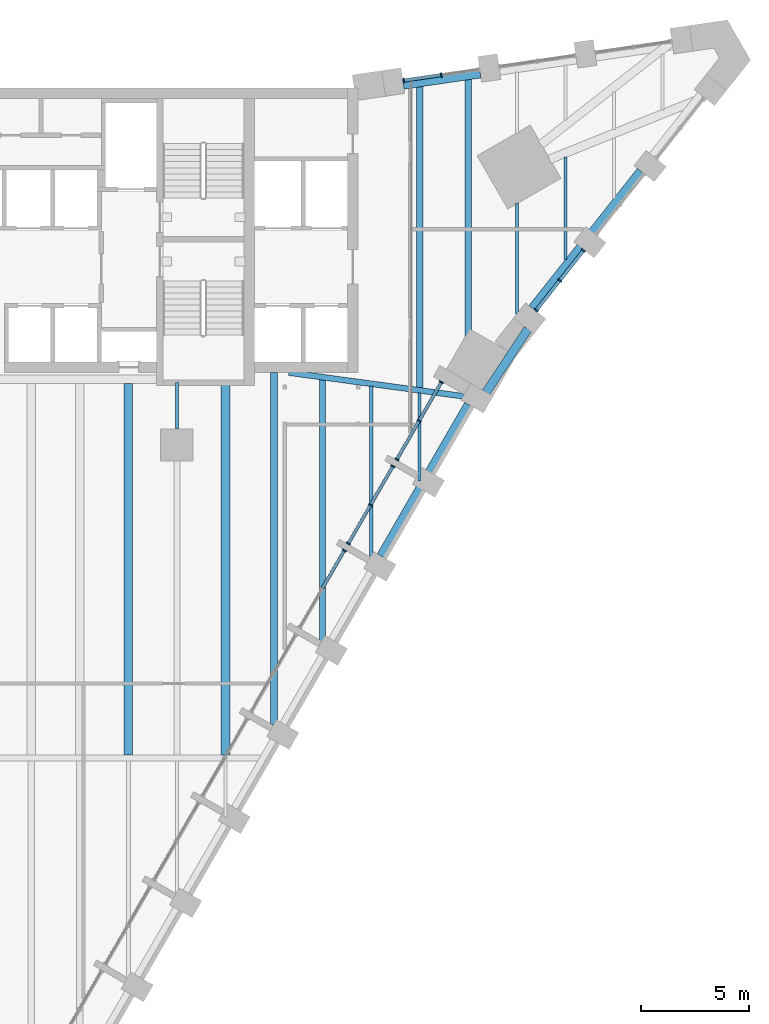
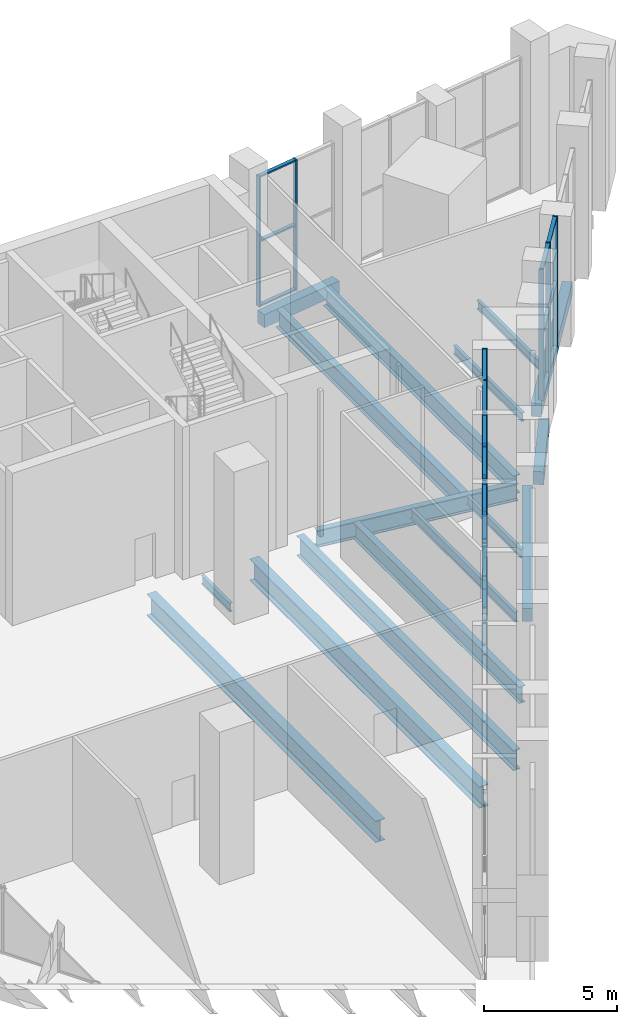
# One storey, part 7 of 17: 36 members, 16 beams, 5 elements without a shape of their own.
"""IFC4 building model written with IfcOpenShell, lengths in metres."""

from ifc_helpers import new_model, si_unit, direction, frame, origin, origin_2d, place, context, subcontext, project, spatial, rectangle, i_section, extrude, material, material_profile, profile_set, type_object, element, aggregate, save


model = new_model("IFC4")

# Units and contexts
model_context = context("Model", 3, precision=1e-05, world=origin(), true_north=direction((0.0, 1.0)))
body_context = subcontext(model_context, "Body", "Model", "MODEL_VIEW")
ifc_project = project(units=[si_unit("LENGTHUNIT", "METRE"), si_unit("AREAUNIT", "SQUARE_METRE"), si_unit("VOLUMEUNIT", "CUBIC_METRE"), si_unit("PLANEANGLEUNIT", "RADIAN"), si_unit("MASSUNIT", "GRAM", prefix="KILO")], contexts=[model_context])

# Site, building, storey
site_placement = place(None, origin())
site = spatial("IfcSite", under=ifc_project, at=site_placement, CompositionType="ELEMENT")
building_placement = place(site_placement, origin())
building = spatial("IfcBuilding", under=site, at=building_placement, Name="Calabash Gate Tower", CompositionType="ELEMENT")
storey_placement = place(building_placement, frame((0.0, 0.0, 132.60009765625)))
storey = spatial("IfcBuildingStorey", under=building, at=storey_placement, Name="L31", CompositionType="ELEMENT", Elevation=132.60009765625)

# Beams
ifc_material_1 = material(Name="Concrete C60/75", Category="concrete")
ifc_material_profile_1 = material_profile(ifc_material_1, rectangle(XDim=0.39990234375, YDim=0.60009765625, at=origin_2d()))
ifc_profile_set_1 = profile_set([ifc_material_profile_1], Name="Concrete C60/75")
beam_type_1 = type_object("IfcBeamType", Name="Edge beam RC 400x600 Concrete C60/75", PredefinedType="BEAM", material=ifc_profile_set_1)
beam_1_placement = place(storey_placement, frame((18.4580078125, -2.634033203125, -0.47021484375), z_axis=(0.499986829629, 0.866033007568, 0.0), x_axis=(-0.866033007568, 0.499986829629, 0.0)))
element("IfcBeam", 1, at=beam_1_placement, inside=storey, type_object=beam_type_1, Name="Edge beam L31 9", PredefinedType="BEAM", context=body_context, shape_type="SweptSolid", body=[
    extrude(rectangle(XDim=0.39990234375, YDim=0.60009765625, at=origin_2d()), origin(), (0.0, 0.0, 1.0), 8.100341796875),
])
beam_2_placement = place(storey_placement, frame((23.31591796875, 4.927978515625, -0.47021484375), z_axis=(0.551168729938, 0.834393810583, 0.0), x_axis=(-0.834393810583, 0.551168729938, 0.0)))
element("IfcBeam", 2, at=beam_2_placement, inside=storey, type_object=beam_type_1, Name="Edge beam L31 10", PredefinedType="BEAM", context=body_context, shape_type="SweptSolid", body=[
    extrude(rectangle(XDim=0.39990234375, YDim=0.60009765625, at=origin_2d()), origin(), (0.0, 0.0, 1.0), 3.53076171875),
])
beam_3_placement = place(storey_placement, frame((25.468994140625, 8.842041015625, -0.47021484375), z_axis=(0.620163994237, 0.784472192147, 0.0), x_axis=(-0.784472192147, 0.620163994237, 0.0)))
element("IfcBeam", 3, at=beam_3_placement, inside=storey, type_object=beam_type_1, Name="Edge beam L31 11", PredefinedType="BEAM", context=body_context, shape_type="SweptSolid", body=[
    extrude(rectangle(XDim=0.39990234375, YDim=0.60009765625, at=origin_2d()), origin(), (0.0, 0.0, 1.0), 8.10107421875),
])
beam_4_placement = place(storey_placement, frame((23.05908203125, 19.7080078125, -0.47021484375), z_axis=(-0.989433082017, -0.144990262464, 0.0), x_axis=(0.144990262464, -0.989433082017, 0.0)))
element("IfcBeam", 4, at=beam_4_placement, inside=storey, type_object=beam_type_1, Name="Edge beam L31 16", PredefinedType="BEAM", context=body_context, shape_type="SweptSolid", body=[
    extrude(rectangle(XDim=0.39990234375, YDim=0.60009765625, at=origin_2d()), origin(), (0.0, 0.0, 1.0), 3.60009765625),
])
ifc_material_2 = material(Name="Steel ASTM A992 Gr50", Category="steel")
ifc_material_profile_2 = material_profile(ifc_material_2, i_section(OverallWidth=0.1396484375, OverallDepth=0.398681640625, WebThickness=0.00634765625, FlangeThickness=0.0087890625, FilletRadius=0.01025390625, at=origin_2d()))
ifc_profile_set_2 = profile_set([ifc_material_profile_2], Name="Steel ASTM A992 Gr50")
beam_type_2 = type_object("IfcBeamType", Name="Floor beam W16x26 ASTM A992 Gr50", PredefinedType="BEAM", material=ifc_profile_set_2)
beam_5_placement = place(storey_placement, frame((9.0, 3.25, -0.369140625), z_axis=(0.0, 1.0, 0.0), x_axis=(-1.0, 0.0, 0.0)))
element("IfcBeam", 5, at=beam_5_placement, inside=storey, type_object=beam_type_2, Name="Floor beam L31 27", PredefinedType="BEAM", context=body_context, shape_type="SweptSolid", body=[
    extrude(i_section(OverallWidth=0.1396484375, OverallDepth=0.398681640625, WebThickness=0.00634765625, FlangeThickness=0.0087890625, FilletRadius=0.01025390625, at=origin_2d()), origin(), (0.0, 0.0, 1.0), 2.153076171875),
])
beam_6_placement = place(storey_placement, frame((20.25, 0.8369140625, -0.369140625), z_axis=(0.0, 1.0, 0.0), x_axis=(-1.0, 0.0, 0.0)))
element("IfcBeam", 6, at=beam_6_placement, inside=storey, type_object=beam_type_2, Name="Floor beam L31 33", PredefinedType="BEAM", context=body_context, shape_type="SweptSolid", body=[
    extrude(i_section(OverallWidth=0.1396484375, OverallDepth=0.398681640625, WebThickness=0.00634765625, FlangeThickness=0.0087890625, FilletRadius=0.01025390625, at=origin_2d()), origin(), (0.0, 0.0, 1.0), 4.08203125),
])
beam_7_placement = place(storey_placement, frame((24.75, 8.56591796875, -0.369140625), z_axis=(0.0, 1.0, 0.0), x_axis=(-1.0, 0.0, 0.0)))
element("IfcBeam", 7, at=beam_7_placement, inside=storey, type_object=beam_type_2, Name="Floor beam L31 36", PredefinedType="BEAM", context=body_context, shape_type="SweptSolid", body=[
    extrude(i_section(OverallWidth=0.1396484375, OverallDepth=0.398681640625, WebThickness=0.00634765625, FlangeThickness=0.0087890625, FilletRadius=0.01025390625, at=origin_2d()), origin(), (0.0, 0.0, 1.0), 5.14306640625),
])
beam_8_placement = place(storey_placement, frame((27.0, 11.089111328125, -0.369140625), z_axis=(0.0, 1.0, 0.0), x_axis=(-1.0, 0.0, 0.0)))
element("IfcBeam", 8, at=beam_8_placement, inside=storey, type_object=beam_type_2, Name="Floor beam L31 38", PredefinedType="BEAM", context=body_context, shape_type="SweptSolid", body=[
    extrude(i_section(OverallWidth=0.1396484375, OverallDepth=0.398681640625, WebThickness=0.00634765625, FlangeThickness=0.0087890625, FilletRadius=0.01025390625, at=origin_2d()), origin(), (0.0, 0.0, 1.0), 4.7587890625),
])
ifc_material_3 = material(Name="Steel ASTM A992 Gr50", Category="steel")
ifc_material_profile_3 = material_profile(ifc_material_3, i_section(OverallWidth=0.15234375, OverallDepth=0.44970703125, WebThickness=0.007568359375, FlangeThickness=0.0107421875, FilletRadius=0.01025390625, at=origin_2d()))
ifc_profile_set_3 = profile_set([ifc_material_profile_3], Name="Steel ASTM A992 Gr50")
beam_type_3 = type_object("IfcBeamType", Name="Floor beam W18x35 ASTM A992 Gr50", PredefinedType="BEAM", material=ifc_profile_set_3)
beam_9_placement = place(storey_placement, frame((18.0, -2.639892578125, -0.39306640625), z_axis=(0.0, 1.0, 0.0), x_axis=(-1.0, 0.0, 0.0)))
element("IfcBeam", 9, at=beam_9_placement, inside=storey, type_object=beam_type_3, Name="Floor beam L31 32", PredefinedType="BEAM", context=body_context, shape_type="SweptSolid", body=[
    extrude(i_section(OverallWidth=0.15234375, OverallDepth=0.44970703125, WebThickness=0.007568359375, FlangeThickness=0.0107421875, FilletRadius=0.01025390625, at=origin_2d()), origin(), (0.0, 0.0, 1.0), 7.866943359375),
])
ifc_material_4 = material(Name="Steel ASTM A992 Gr50", Category="steel")
ifc_material_profile_4 = material_profile(ifc_material_4, i_section(OverallWidth=0.2666015625, OverallDepth=0.7568359375, WebThickness=0.013916015625, FlangeThickness=0.019287109375, FilletRadius=0.0166015625, at=origin_2d()))
ifc_profile_set_4 = profile_set([ifc_material_profile_4], Name="Steel ASTM A992 Gr50")
beam_type_4 = type_object("IfcBeamType", Name="Floor beam W30x108 ASTM A992 Gr50", PredefinedType="BEAM", material=ifc_profile_set_4)
beam_10_placement = place(storey_placement, frame((15.75, -6.95703125, -0.548095703125), z_axis=(0.0, 1.0, 0.0), x_axis=(-1.0, 0.0, 0.0)))
element("IfcBeam", 10, at=beam_10_placement, inside=storey, type_object=beam_type_4, Name="Floor beam L31 31", PredefinedType="BEAM", context=body_context, shape_type="SweptSolid", body=[
    extrude(i_section(OverallWidth=0.2666015625, OverallDepth=0.7568359375, WebThickness=0.013916015625, FlangeThickness=0.019287109375, FilletRadius=0.0166015625, at=origin_2d()), origin(), (0.0, 0.0, 1.0), 12.487060546875),
])
ifc_material_5 = material(Name="Steel ASTM A992 Gr50", Category="steel")
ifc_material_profile_5 = material_profile(ifc_material_5, i_section(OverallWidth=0.2919921875, OverallDepth=0.845703125, WebThickness=0.015380859375, FlangeThickness=0.0244140625, FilletRadius=0.017822265625, at=origin_2d()))
ifc_profile_set_5 = profile_set([ifc_material_profile_5], Name="Steel ASTM A992 Gr50")
beam_type_5 = type_object("IfcBeamType", Name="Floor beam W33x141 ASTM A992 Gr50", PredefinedType="BEAM", material=ifc_profile_set_5)
beam_11_placement = place(storey_placement, frame((20.25, 5.14404296875, -0.593017578125), z_axis=(0.0, 1.0, 0.0), x_axis=(-1.0, 0.0, 0.0)))
element("IfcBeam", 11, at=beam_11_placement, inside=storey, type_object=beam_type_5, Name="Floor beam L31 34", PredefinedType="BEAM", context=body_context, shape_type="SweptSolid", body=[
    extrude(i_section(OverallWidth=0.2919921875, OverallDepth=0.845703125, WebThickness=0.015380859375, FlangeThickness=0.0244140625, FilletRadius=0.017822265625, at=origin_2d()), origin(), (0.0, 0.0, 1.0), 13.98193359375),
])
beam_12_placement = place(storey_placement, frame((22.5, 5.134033203125, -0.593017578125), z_axis=(0.0, 1.0, 0.0), x_axis=(-1.0, 0.0, 0.0)))
element("IfcBeam", 12, at=beam_12_placement, inside=storey, type_object=beam_type_5, Name="Floor beam L31 35", PredefinedType="BEAM", context=body_context, shape_type="SweptSolid", body=[
    extrude(i_section(OverallWidth=0.2919921875, OverallDepth=0.845703125, WebThickness=0.015380859375, FlangeThickness=0.0244140625, FilletRadius=0.017822265625, at=origin_2d()), origin(), (0.0, 0.0, 1.0), 14.322021484375),
])
ifc_material_6 = material(Name="Steel ASTM A992 Gr50", Category="steel")
ifc_material_profile_6 = material_profile(ifc_material_6, i_section(OverallWidth=0.307373046875, OverallDepth=0.922119140625, WebThickness=0.018310546875, FlangeThickness=0.030029296875, FilletRadius=0.01904296875, at=origin_2d()))
ifc_profile_set_6 = profile_set([ifc_material_profile_6], Name="Steel ASTM A992 Gr50")
beam_type_6 = type_object("IfcBeamType", Name="Floor beam W36x182 ASTM A992 Gr50", PredefinedType="BEAM", material=ifc_profile_set_6)
beam_13_placement = place(storey_placement, frame((13.5, -10.4541015625, -0.631103515625), z_axis=(0.0, 1.0, 0.0), x_axis=(-1.0, 0.0, 0.0)))
element("IfcBeam", 13, at=beam_13_placement, inside=storey, type_object=beam_type_6, Name="Floor beam L31 30", PredefinedType="BEAM", context=body_context, shape_type="SweptSolid", body=[
    extrude(i_section(OverallWidth=0.307373046875, OverallDepth=0.922119140625, WebThickness=0.018310546875, FlangeThickness=0.030029296875, FilletRadius=0.01904296875, at=origin_2d()), origin(), (0.0, 0.0, 1.0), 16.30712890625),
])
ifc_material_7 = material(Name="Steel ASTM A992 Gr50", Category="steel")
ifc_material_profile_7 = material_profile(ifc_material_7, i_section(OverallWidth=0.4013671875, OverallDepth=0.990478515625, WebThickness=0.0166015625, FlangeThickness=0.031005859375, FilletRadius=0.030029296875, at=origin_2d()))
ifc_profile_set_7 = profile_set([ifc_material_profile_7], Name="Steel ASTM A992 Gr50")
beam_type_7 = type_object("IfcBeamType", Name="Floor beam W40x215 ASTM A992 Gr50", PredefinedType="BEAM", material=ifc_profile_set_7)
beam_14_placement = place(storey_placement, frame((6.75, -11.866943359375, -0.6630859375), z_axis=(0.0, 1.0, 0.0), x_axis=(-1.0, 0.0, 0.0)))
element("IfcBeam", 14, at=beam_14_placement, inside=storey, type_object=beam_type_7, Name="Floor beam L31 24", PredefinedType="BEAM", context=body_context, shape_type="SweptSolid", body=[
    extrude(i_section(OverallWidth=0.4013671875, OverallDepth=0.990478515625, WebThickness=0.0166015625, FlangeThickness=0.031005859375, FilletRadius=0.030029296875, at=origin_2d()), origin(), (0.0, 0.0, 1.0), 17.218994140625),
])
beam_15_placement = place(storey_placement, frame((11.25, -11.866943359375, -0.6630859375), z_axis=(0.0, 1.0, 0.0), x_axis=(-1.0, 0.0, 0.0)))
element("IfcBeam", 15, at=beam_15_placement, inside=storey, type_object=beam_type_7, Name="Floor beam L31 29", PredefinedType="BEAM", context=body_context, shape_type="SweptSolid", body=[
    extrude(i_section(OverallWidth=0.4013671875, OverallDepth=0.990478515625, WebThickness=0.0166015625, FlangeThickness=0.031005859375, FilletRadius=0.030029296875, at=origin_2d()), origin(), (0.0, 0.0, 1.0), 17.27001953125),
])
ifc_material_8 = material(Name="Steel ASTM A992 Gr50", Category="steel")
ifc_material_profile_8 = material_profile(ifc_material_8, i_section(OverallWidth=0.2666015625, OverallDepth=0.77978515625, WebThickness=0.0166015625, FlangeThickness=0.030029296875, FilletRadius=0.0166015625, at=origin_2d()))
ifc_profile_set_8 = profile_set([ifc_material_profile_8], Name="Steel ASTM A992 Gr50")
beam_type_8 = type_object("IfcBeamType", Name="Girder W30x148 ASTM A992 Gr50", PredefinedType="BEAM", material=ifc_profile_set_8)
beam_16_placement = place(storey_placement, frame((22.285888671875, 4.757080078125, -0.56005859375), z_axis=(-0.990922447066, 0.134434757038, 0.0), x_axis=(-0.134434757038, -0.990922447066, 0.0)))
element("IfcBeam", 16, at=beam_16_placement, inside=storey, type_object=beam_type_8, Name="Girder L31 3", PredefinedType="BEAM", context=body_context, shape_type="SweptSolid", body=[
    extrude(i_section(OverallWidth=0.2666015625, OverallDepth=0.77978515625, WebThickness=0.0166015625, FlangeThickness=0.030029296875, FilletRadius=0.0166015625, at=origin_2d()), origin(), (0.0, 0.0, 1.0), 8.174072265625),
])

# Curtain wall, member
ifc_material_9 = material(Name="Anodised aluminium frame, bronze finish, clear laminated low-emissivity glazing", Category="aluminium")
curtain_wall_type_1 = type_object("IfcCurtainWallType", Name="Curtain wall CWS sky lobby wall", PredefinedType="NOTDEFINED", material=ifc_material_9)
curtain_wall_1_placement = place(storey_placement, origin())
curtain_wall_1 = element("IfcCurtainWall", 17, at=curtain_wall_1_placement, inside=storey, type_object=curtain_wall_type_1, Name="Curtain wall CWS L31 SE2.6", PredefinedType="NOTDEFINED")
ifc_material_10 = material(Name="Anodised aluminium frame, bronze finish", Category="aluminium")
ifc_material_profile_9 = material_profile(ifc_material_10, rectangle(XDim=0.199951171875, YDim=0.06494140625, at=origin_2d()))
ifc_profile_set_9 = profile_set([ifc_material_profile_9], Name="Anodised aluminium frame, bronze finish")
member_type_1 = type_object("IfcMemberType", Name="Mullion CWS 65x200", PredefinedType="MULLION", material=ifc_profile_set_9)
member_1_placement = place(storey_placement, frame((16.756591796875, -2.3818359375, 0.0), z_axis=(0.0, 0.0, 1.0), x_axis=(-0.866025421884, 0.499999968652, 0.0)))
member_1 = element("IfcMember", 18, at=member_1_placement, type_object=member_type_1, Name="CWS mullion 3", PredefinedType="MULLION", context=body_context, shape_type="SweptSolid", body=[
    extrude(rectangle(XDim=0.199951171875, YDim=0.06494140625, at=origin_2d()), origin(), (0.0, 0.0, 1.0), 6.0),
])

# Curtain wall, members
curtain_wall_2_placement = place(storey_placement, origin())
curtain_wall_2 = element("IfcCurtainWall", 19, at=curtain_wall_2_placement, inside=storey, type_object=curtain_wall_type_1, Name="Curtain wall CWS L31 SE2.7", PredefinedType="NOTDEFINED")
member_2_placement = place(storey_placement, frame((16.93896484375, -2.065673828125, 0.0), z_axis=(0.0, 0.0, 1.0), x_axis=(-0.866025421884, 0.499999968652, 0.0)))
member_2 = element("IfcMember", 20, at=member_2_placement, type_object=member_type_1, Name="CWS mullion 1", PredefinedType="MULLION", context=body_context, shape_type="SweptSolid", body=[
    extrude(rectangle(XDim=0.199951171875, YDim=0.06494140625, at=origin_2d()), origin(), (0.0, 0.0, 1.0), 6.0),
])
member_3_placement = place(storey_placement, frame((17.97265625, -0.275146484375, 0.0), z_axis=(0.0, 0.0, 1.0), x_axis=(-0.866025421884, 0.499999968652, 0.0)))
member_3 = element("IfcMember", 21, at=member_3_placement, type_object=member_type_1, Name="CWS mullion 2", PredefinedType="MULLION", context=body_context, shape_type="SweptSolid", body=[
    extrude(rectangle(XDim=0.199951171875, YDim=0.06494140625, at=origin_2d()), origin(), (0.0, 0.0, 1.0), 6.0),
])
member_4_placement = place(storey_placement, frame((19.006591796875, 1.515380859375, 0.0), z_axis=(0.0, 0.0, 1.0), x_axis=(-0.866025421884, 0.499999968652, 0.0)))
member_4 = element("IfcMember", 22, at=member_4_placement, type_object=member_type_1, Name="CWS mullion 3", PredefinedType="MULLION", context=body_context, shape_type="SweptSolid", body=[
    extrude(rectangle(XDim=0.199951171875, YDim=0.06494140625, at=origin_2d()), origin(), (0.0, 0.0, 1.0), 6.0),
])

curtain_wall_3_placement = place(storey_placement, origin())
curtain_wall_3 = element("IfcCurtainWall", 23, at=curtain_wall_3_placement, inside=storey, type_object=curtain_wall_type_1, Name="Curtain wall CWS L31 SE2.8", PredefinedType="NOTDEFINED")
member_5_placement = place(storey_placement, frame((19.18896484375, 1.83154296875, 0.0), z_axis=(0.0, 0.0, 1.0), x_axis=(-0.866025318787, 0.50000014722, 0.0)))
member_5 = element("IfcMember", 24, at=member_5_placement, type_object=member_type_1, Name="CWS mullion 1", PredefinedType="MULLION", context=body_context, shape_type="SweptSolid", body=[
    extrude(rectangle(XDim=0.199951171875, YDim=0.06494140625, at=origin_2d()), origin(), (0.0, 0.0, 1.0), 5.919921875),
])
member_6_placement = place(storey_placement, frame((20.22265625, 3.621826171875, 0.0), z_axis=(0.0, 0.0, 1.0), x_axis=(-0.866025318787, 0.50000014722, 0.0)))
member_6 = element("IfcMember", 25, at=member_6_placement, type_object=member_type_1, Name="CWS mullion 2", PredefinedType="MULLION", context=body_context, shape_type="SweptSolid", body=[
    extrude(rectangle(XDim=0.199951171875, YDim=0.06494140625, at=origin_2d()), origin(), (0.0, 0.0, 1.0), 5.919921875),
])
member_7_placement = place(storey_placement, frame((21.256591796875, 5.412353515625, 0.0), z_axis=(0.0, 0.0, 1.0), x_axis=(-0.866025318787, 0.50000014722, 0.0)))
member_7 = element("IfcMember", 26, at=member_7_placement, type_object=member_type_1, Name="CWS mullion 3", PredefinedType="MULLION", context=body_context, shape_type="SweptSolid", body=[
    extrude(rectangle(XDim=0.199951171875, YDim=0.06494140625, at=origin_2d()), origin(), (0.0, 0.0, 1.0), 5.919921875),
])

ifc_material_11 = material(Name="Anodised aluminium frame, bronze finish, clear laminated impact-rated glazing", Category="aluminium")
curtain_wall_type_2 = type_object("IfcCurtainWallType", Name="Curtain wall CWW wedge prow wall", PredefinedType="NOTDEFINED", material=ifc_material_11)
curtain_wall_4_placement = place(storey_placement, origin())
curtain_wall_4 = element("IfcCurtainWall", 27, at=curtain_wall_4_placement, inside=storey, type_object=curtain_wall_type_2, Name="Curtain wall CWW L31 wedge3.1", PredefinedType="NOTDEFINED")
ifc_material_12 = material(Name="Anodised aluminium frame, bronze finish", Category="aluminium")
ifc_material_profile_10 = material_profile(ifc_material_12, rectangle(XDim=0.199951171875, YDim=0.070068359375, at=origin_2d()))
ifc_profile_set_10 = profile_set([ifc_material_profile_10], Name="Anodised aluminium frame, bronze finish")
member_type_2 = type_object("IfcMemberType", Name="Mullion CWW 70x200", PredefinedType="MULLION", material=ifc_profile_set_10)
member_8_placement = place(storey_placement, frame((25.647216796875, 8.745361328125, 0.0), z_axis=(0.0, 0.0, 1.0), x_axis=(-0.7843635768, 0.62030136175, 0.0)))
member_8 = element("IfcMember", 28, at=member_8_placement, type_object=member_type_2, Name="CWW mullion 1", PredefinedType="MULLION", context=body_context, shape_type="SweptSolid", body=[
    extrude(rectangle(XDim=0.199951171875, YDim=0.070068359375, at=origin_2d()), origin(), (0.0, 0.0, 1.0), 6.0),
])
member_9_placement = place(storey_placement, frame((26.741943359375, 10.1298828125, 0.0), z_axis=(0.0, 0.0, 1.0), x_axis=(-0.7843635768, 0.62030136175, 0.0)))
member_9 = element("IfcMember", 29, at=member_9_placement, type_object=member_type_2, Name="CWW mullion 2", PredefinedType="MULLION", context=body_context, shape_type="SweptSolid", body=[
    extrude(rectangle(XDim=0.199951171875, YDim=0.070068359375, at=origin_2d()), origin(), (0.0, 0.0, 1.0), 6.0),
])
member_10_placement = place(storey_placement, frame((27.8369140625, 11.51416015625, 0.0), z_axis=(0.0, 0.0, 1.0), x_axis=(-0.7843635768, 0.62030136175, 0.0)))
member_10 = element("IfcMember", 30, at=member_10_placement, type_object=member_type_2, Name="CWW mullion 3", PredefinedType="MULLION", context=body_context, shape_type="SweptSolid", body=[
    extrude(rectangle(XDim=0.199951171875, YDim=0.070068359375, at=origin_2d()), origin(), (0.0, 0.0, 1.0), 6.0),
])

curtain_wall_5_placement = place(storey_placement, origin())
curtain_wall_5 = element("IfcCurtainWall", 31, at=curtain_wall_5_placement, inside=storey, type_object=curtain_wall_type_2, Name="Curtain wall CWW L31 wedge5.3", PredefinedType="NOTDEFINED")
member_11_placement = place(storey_placement, frame((21.248779296875, 19.64453125, 0.0), z_axis=(0.0, 0.0, 1.0), x_axis=(0.145014729823, -0.989429496293, 0.0)))
member_11 = element("IfcMember", 32, at=member_11_placement, type_object=member_type_2, Name="CWW mullion 2", PredefinedType="MULLION", context=body_context, shape_type="SweptSolid", body=[
    extrude(rectangle(XDim=0.199951171875, YDim=0.070068359375, at=origin_2d()), origin(), (0.0, 0.0, 1.0), 6.0),
])
member_12_placement = place(storey_placement, frame((19.50244140625, 19.388427734375, 0.0), z_axis=(0.0, 0.0, 1.0), x_axis=(0.145014729823, -0.989429496293, 0.0)))
member_12 = element("IfcMember", 33, at=member_12_placement, type_object=member_type_2, Name="CWW mullion 3", PredefinedType="MULLION", context=body_context, shape_type="SweptSolid", body=[
    extrude(rectangle(XDim=0.199951171875, YDim=0.070068359375, at=origin_2d()), origin(), (0.0, 0.0, 1.0), 6.0),
])

# Member
ifc_material_13 = material(Name="Anodised aluminium frame, bronze finish", Category="aluminium")
ifc_material_profile_11 = material_profile(ifc_material_13, rectangle(XDim=0.14990234375, YDim=0.06494140625, at=origin_2d()))
ifc_profile_set_11 = profile_set([ifc_material_profile_11], Name="Anodised aluminium frame, bronze finish")
member_type_3 = type_object("IfcMemberType", Name="Transom CWS 65x150", PredefinedType="USERDEFINED", material=ifc_profile_set_11)
member_13_placement = place(storey_placement, frame((15.739013671875, -4.14404296875, 0.032470703125), z_axis=(0.500007410291, 0.866021125408, 0.0), x_axis=(-0.866021125408, 0.500007410291, 0.0)))
member_13 = element("IfcMember", 34, at=member_13_placement, type_object=member_type_3, Name="CWS transom 2.1", ObjectType="TRANSOM", PredefinedType="USERDEFINED", context=body_context, shape_type="SweptSolid", body=[
    extrude(rectangle(XDim=0.14990234375, YDim=0.06494140625, at=origin_2d()), origin(), (0.0, 0.0, 1.0), 2.00244140625),
])

member_14_placement = place(storey_placement, frame((15.739013671875, -4.14404296875, 3.0), z_axis=(0.500007410291, 0.866021125408, 0.0), x_axis=(-0.866021125408, 0.500007410291, 0.0)))
member_14 = element("IfcMember", 35, at=member_14_placement, type_object=member_type_3, Name="CWS transom 2.2", ObjectType="TRANSOM", PredefinedType="USERDEFINED", context=body_context, shape_type="SweptSolid", body=[
    extrude(rectangle(XDim=0.14990234375, YDim=0.06494140625, at=origin_2d()), origin(), (0.0, 0.0, 1.0), 2.00244140625),
])

member_15_placement = place(storey_placement, frame((15.739013671875, -4.14404296875, 5.96728515625), z_axis=(0.500007410291, 0.866021125408, 0.0), x_axis=(-0.866021125408, 0.500007410291, 0.0)))
member_15 = element("IfcMember", 36, at=member_15_placement, type_object=member_type_3, Name="CWS transom 2.3", ObjectType="TRANSOM", PredefinedType="USERDEFINED", context=body_context, shape_type="SweptSolid", body=[
    extrude(rectangle(XDim=0.14990234375, YDim=0.06494140625, at=origin_2d()), origin(), (0.0, 0.0, 1.0), 2.00244140625),
])

aggregate(curtain_wall_1, [member_1, member_13, member_14, member_15])

member_16_placement = place(storey_placement, frame((16.955322265625, -2.03759765625, 0.032470703125), z_axis=(0.499954620082, 0.866051602307, 0.0), x_axis=(-0.866051602307, 0.499954620082, 0.0)))
member_16 = element("IfcMember", 37, at=member_16_placement, type_object=member_type_3, Name="CWS transom 1.1", ObjectType="TRANSOM", PredefinedType="USERDEFINED", context=body_context, shape_type="SweptSolid", body=[
    extrude(rectangle(XDim=0.14990234375, YDim=0.06494140625, at=origin_2d()), origin(), (0.0, 0.0, 1.0), 2.002685546875),
])

member_17_placement = place(storey_placement, frame((16.955322265625, -2.03759765625, 3.0), z_axis=(0.499954620082, 0.866051602307, 0.0), x_axis=(-0.866051602307, 0.499954620082, 0.0)))
member_17 = element("IfcMember", 38, at=member_17_placement, type_object=member_type_3, Name="CWS transom 1.2", ObjectType="TRANSOM", PredefinedType="USERDEFINED", context=body_context, shape_type="SweptSolid", body=[
    extrude(rectangle(XDim=0.14990234375, YDim=0.06494140625, at=origin_2d()), origin(), (0.0, 0.0, 1.0), 2.002685546875),
])

member_18_placement = place(storey_placement, frame((16.955322265625, -2.03759765625, 5.96728515625), z_axis=(0.499954620082, 0.866051602307, 0.0), x_axis=(-0.866051602307, 0.499954620082, 0.0)))
member_18 = element("IfcMember", 39, at=member_18_placement, type_object=member_type_3, Name="CWS transom 1.3", ObjectType="TRANSOM", PredefinedType="USERDEFINED", context=body_context, shape_type="SweptSolid", body=[
    extrude(rectangle(XDim=0.14990234375, YDim=0.06494140625, at=origin_2d()), origin(), (0.0, 0.0, 1.0), 2.002685546875),
])

member_19_placement = place(storey_placement, frame((17.989013671875, -0.2470703125, 0.032470703125), z_axis=(0.499954620082, 0.866051602307, 0.0), x_axis=(-0.866051602307, 0.499954620082, 0.0)))
member_19 = element("IfcMember", 40, at=member_19_placement, type_object=member_type_3, Name="CWS transom 2.1", ObjectType="TRANSOM", PredefinedType="USERDEFINED", context=body_context, shape_type="SweptSolid", body=[
    extrude(rectangle(XDim=0.14990234375, YDim=0.06494140625, at=origin_2d()), origin(), (0.0, 0.0, 1.0), 2.002685546875),
])

member_20_placement = place(storey_placement, frame((17.989013671875, -0.2470703125, 3.0), z_axis=(0.499954620082, 0.866051602307, 0.0), x_axis=(-0.866051602307, 0.499954620082, 0.0)))
member_20 = element("IfcMember", 41, at=member_20_placement, type_object=member_type_3, Name="CWS transom 2.2", ObjectType="TRANSOM", PredefinedType="USERDEFINED", context=body_context, shape_type="SweptSolid", body=[
    extrude(rectangle(XDim=0.14990234375, YDim=0.06494140625, at=origin_2d()), origin(), (0.0, 0.0, 1.0), 2.002685546875),
])

member_21_placement = place(storey_placement, frame((17.989013671875, -0.2470703125, 5.96728515625), z_axis=(0.499954620082, 0.866051602307, 0.0), x_axis=(-0.866051602307, 0.499954620082, 0.0)))
member_21 = element("IfcMember", 42, at=member_21_placement, type_object=member_type_3, Name="CWS transom 2.3", ObjectType="TRANSOM", PredefinedType="USERDEFINED", context=body_context, shape_type="SweptSolid", body=[
    extrude(rectangle(XDim=0.14990234375, YDim=0.06494140625, at=origin_2d()), origin(), (0.0, 0.0, 1.0), 2.002685546875),
])

aggregate(curtain_wall_2, [member_2, member_3, member_4, member_16, member_17, member_18, member_19, member_20, member_21])

member_22_placement = place(storey_placement, frame((19.205322265625, 1.859619140625, 0.032470703125), z_axis=(0.500007410291, 0.866021125408, 0.0), x_axis=(-0.866021125408, 0.500007410291, 0.0)))
member_22 = element("IfcMember", 43, at=member_22_placement, type_object=member_type_3, Name="CWS transom 1.1", ObjectType="TRANSOM", PredefinedType="USERDEFINED", context=body_context, shape_type="SweptSolid", body=[
    extrude(rectangle(XDim=0.14990234375, YDim=0.06494140625, at=origin_2d()), origin(), (0.0, 0.0, 1.0), 2.00244140625),
])

member_23_placement = place(storey_placement, frame((19.205322265625, 1.859619140625, 2.9599609375), z_axis=(0.500007410291, 0.866021125408, 0.0), x_axis=(-0.866021125408, 0.500007410291, 0.0)))
member_23 = element("IfcMember", 44, at=member_23_placement, type_object=member_type_3, Name="CWS transom 1.2", ObjectType="TRANSOM", PredefinedType="USERDEFINED", context=body_context, shape_type="SweptSolid", body=[
    extrude(rectangle(XDim=0.14990234375, YDim=0.06494140625, at=origin_2d()), origin(), (0.0, 0.0, 1.0), 2.00244140625),
])

member_24_placement = place(storey_placement, frame((19.205322265625, 1.859619140625, 5.887451171875), z_axis=(0.500007410291, 0.866021125408, 0.0), x_axis=(-0.866021125408, 0.500007410291, 0.0)))
member_24 = element("IfcMember", 45, at=member_24_placement, type_object=member_type_3, Name="CWS transom 1.3", ObjectType="TRANSOM", PredefinedType="USERDEFINED", context=body_context, shape_type="SweptSolid", body=[
    extrude(rectangle(XDim=0.14990234375, YDim=0.06494140625, at=origin_2d()), origin(), (0.0, 0.0, 1.0), 2.00244140625),
])

member_25_placement = place(storey_placement, frame((20.239013671875, 3.650146484375, 0.032470703125), z_axis=(0.500007410291, 0.866021125408, 0.0), x_axis=(-0.866021125408, 0.500007410291, 0.0)))
member_25 = element("IfcMember", 46, at=member_25_placement, type_object=member_type_3, Name="CWS transom 2.1", ObjectType="TRANSOM", PredefinedType="USERDEFINED", context=body_context, shape_type="SweptSolid", body=[
    extrude(rectangle(XDim=0.14990234375, YDim=0.06494140625, at=origin_2d()), origin(), (0.0, 0.0, 1.0), 2.00244140625),
])

member_26_placement = place(storey_placement, frame((20.239013671875, 3.650146484375, 2.9599609375), z_axis=(0.500007410291, 0.866021125408, 0.0), x_axis=(-0.866021125408, 0.500007410291, 0.0)))
member_26 = element("IfcMember", 47, at=member_26_placement, type_object=member_type_3, Name="CWS transom 2.2", ObjectType="TRANSOM", PredefinedType="USERDEFINED", context=body_context, shape_type="SweptSolid", body=[
    extrude(rectangle(XDim=0.14990234375, YDim=0.06494140625, at=origin_2d()), origin(), (0.0, 0.0, 1.0), 2.00244140625),
])

member_27_placement = place(storey_placement, frame((20.239013671875, 3.650146484375, 5.887451171875), z_axis=(0.500007410291, 0.866021125408, 0.0), x_axis=(-0.866021125408, 0.500007410291, 0.0)))
member_27 = element("IfcMember", 48, at=member_27_placement, type_object=member_type_3, Name="CWS transom 2.3", ObjectType="TRANSOM", PredefinedType="USERDEFINED", context=body_context, shape_type="SweptSolid", body=[
    extrude(rectangle(XDim=0.14990234375, YDim=0.06494140625, at=origin_2d()), origin(), (0.0, 0.0, 1.0), 2.00244140625),
])

aggregate(curtain_wall_3, [member_5, member_6, member_7, member_22, member_23, member_24, member_25, member_26, member_27])

ifc_material_14 = material(Name="Anodised aluminium frame, bronze finish", Category="aluminium")
ifc_material_profile_12 = material_profile(ifc_material_14, rectangle(XDim=0.159912109375, YDim=0.070068359375, at=origin_2d()))
ifc_profile_set_12 = profile_set([ifc_material_profile_12], Name="Anodised aluminium frame, bronze finish")
member_type_4 = type_object("IfcMemberType", Name="Transom CWW 70x160", PredefinedType="USERDEFINED", material=ifc_profile_set_12)
member_28_placement = place(storey_placement, frame((25.6689453125, 8.77294921875, 0.034912109375), z_axis=(0.62029329953, 0.78436995261, 0.0), x_axis=(-0.78436995261, 0.62029329953, 0.0)))
member_28 = element("IfcMember", 49, at=member_28_placement, type_object=member_type_4, Name="CWW transom 1.1", ObjectType="TRANSOM", PredefinedType="USERDEFINED", context=body_context, shape_type="SweptSolid", body=[
    extrude(rectangle(XDim=0.159912109375, YDim=0.070068359375, at=origin_2d()), origin(), (0.0, 0.0, 1.0), 1.69482421875),
])

member_29_placement = place(storey_placement, frame((25.6689453125, 8.77294921875, 3.0), z_axis=(0.62029329953, 0.78436995261, 0.0), x_axis=(-0.78436995261, 0.62029329953, 0.0)))
member_29 = element("IfcMember", 50, at=member_29_placement, type_object=member_type_4, Name="CWW transom 1.2", ObjectType="TRANSOM", PredefinedType="USERDEFINED", context=body_context, shape_type="SweptSolid", body=[
    extrude(rectangle(XDim=0.159912109375, YDim=0.070068359375, at=origin_2d()), origin(), (0.0, 0.0, 1.0), 1.69482421875),
])

member_30_placement = place(storey_placement, frame((25.6689453125, 8.77294921875, 5.96484375), z_axis=(0.62029329953, 0.78436995261, 0.0), x_axis=(-0.78436995261, 0.62029329953, 0.0)))
member_30 = element("IfcMember", 51, at=member_30_placement, type_object=member_type_4, Name="CWW transom 1.3", ObjectType="TRANSOM", PredefinedType="USERDEFINED", context=body_context, shape_type="SweptSolid", body=[
    extrude(rectangle(XDim=0.159912109375, YDim=0.070068359375, at=origin_2d()), origin(), (0.0, 0.0, 1.0), 1.69482421875),
])

member_31_placement = place(storey_placement, frame((26.763671875, 10.1572265625, 0.034912109375), z_axis=(0.620311834798, 0.784355294244, 0.0), x_axis=(-0.784355294244, 0.620311834798, 0.0)))
member_31 = element("IfcMember", 52, at=member_31_placement, type_object=member_type_4, Name="CWW transom 2.1", ObjectType="TRANSOM", PredefinedType="USERDEFINED", context=body_context, shape_type="SweptSolid", body=[
    extrude(rectangle(XDim=0.159912109375, YDim=0.070068359375, at=origin_2d()), origin(), (0.0, 0.0, 1.0), 1.695068359375),
])

member_32_placement = place(storey_placement, frame((26.763671875, 10.1572265625, 3.0), z_axis=(0.620311834798, 0.784355294244, 0.0), x_axis=(-0.784355294244, 0.620311834798, 0.0)))
member_32 = element("IfcMember", 53, at=member_32_placement, type_object=member_type_4, Name="CWW transom 2.2", ObjectType="TRANSOM", PredefinedType="USERDEFINED", context=body_context, shape_type="SweptSolid", body=[
    extrude(rectangle(XDim=0.159912109375, YDim=0.070068359375, at=origin_2d()), origin(), (0.0, 0.0, 1.0), 1.695068359375),
])

member_33_placement = place(storey_placement, frame((26.763671875, 10.1572265625, 5.96484375), z_axis=(0.620311834798, 0.784355294244, 0.0), x_axis=(-0.784355294244, 0.620311834798, 0.0)))
member_33 = element("IfcMember", 54, at=member_33_placement, type_object=member_type_4, Name="CWW transom 2.3", ObjectType="TRANSOM", PredefinedType="USERDEFINED", context=body_context, shape_type="SweptSolid", body=[
    extrude(rectangle(XDim=0.159912109375, YDim=0.070068359375, at=origin_2d()), origin(), (0.0, 0.0, 1.0), 1.695068359375),
])

aggregate(curtain_wall_4, [member_8, member_9, member_10, member_28, member_29, member_30, member_31, member_32, member_33])

member_34_placement = place(storey_placement, frame((21.214111328125, 19.639404296875, 0.034912109375), z_axis=(-0.989424287732, -0.145050263174, 0.0), x_axis=(0.145050263174, -0.989424287732, 0.0)))
member_34 = element("IfcMember", 55, at=member_34_placement, type_object=member_type_4, Name="CWW transom 2.1", ObjectType="TRANSOM", PredefinedType="USERDEFINED", context=body_context, shape_type="SweptSolid", body=[
    extrude(rectangle(XDim=0.159912109375, YDim=0.070068359375, at=origin_2d()), origin(), (0.0, 0.0, 1.0), 1.69482421875),
])

member_35_placement = place(storey_placement, frame((21.214111328125, 19.639404296875, 3.0), z_axis=(-0.989424287732, -0.145050263174, 0.0), x_axis=(0.145050263174, -0.989424287732, 0.0)))
member_35 = element("IfcMember", 56, at=member_35_placement, type_object=member_type_4, Name="CWW transom 2.2", ObjectType="TRANSOM", PredefinedType="USERDEFINED", context=body_context, shape_type="SweptSolid", body=[
    extrude(rectangle(XDim=0.159912109375, YDim=0.070068359375, at=origin_2d()), origin(), (0.0, 0.0, 1.0), 1.69482421875),
])

member_36_placement = place(storey_placement, frame((21.214111328125, 19.639404296875, 5.96484375), z_axis=(-0.989424287732, -0.145050263174, 0.0), x_axis=(0.145050263174, -0.989424287732, 0.0)))
member_36 = element("IfcMember", 57, at=member_36_placement, type_object=member_type_4, Name="CWW transom 2.3", ObjectType="TRANSOM", PredefinedType="USERDEFINED", context=body_context, shape_type="SweptSolid", body=[
    extrude(rectangle(XDim=0.159912109375, YDim=0.070068359375, at=origin_2d()), origin(), (0.0, 0.0, 1.0), 1.69482421875),
])

aggregate(curtain_wall_5, [member_11, member_12, member_34, member_35, member_36])

save(model, "model.ifc")
